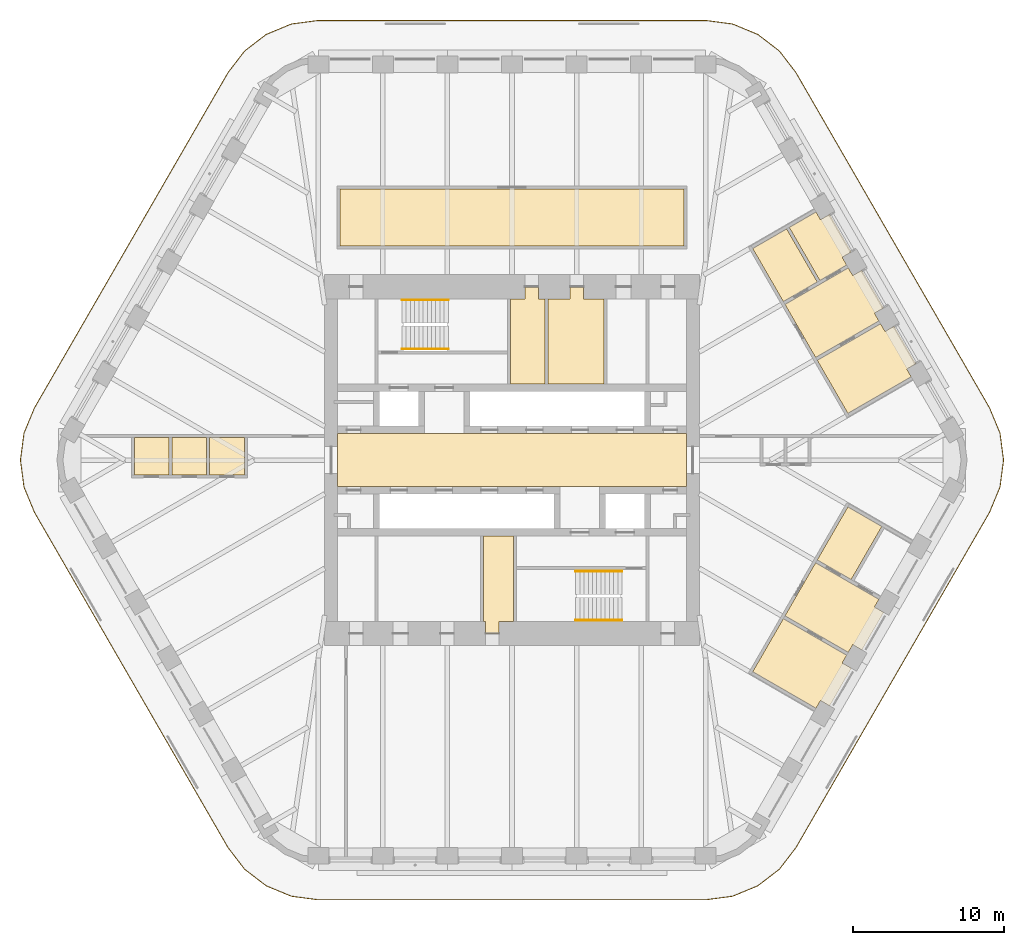
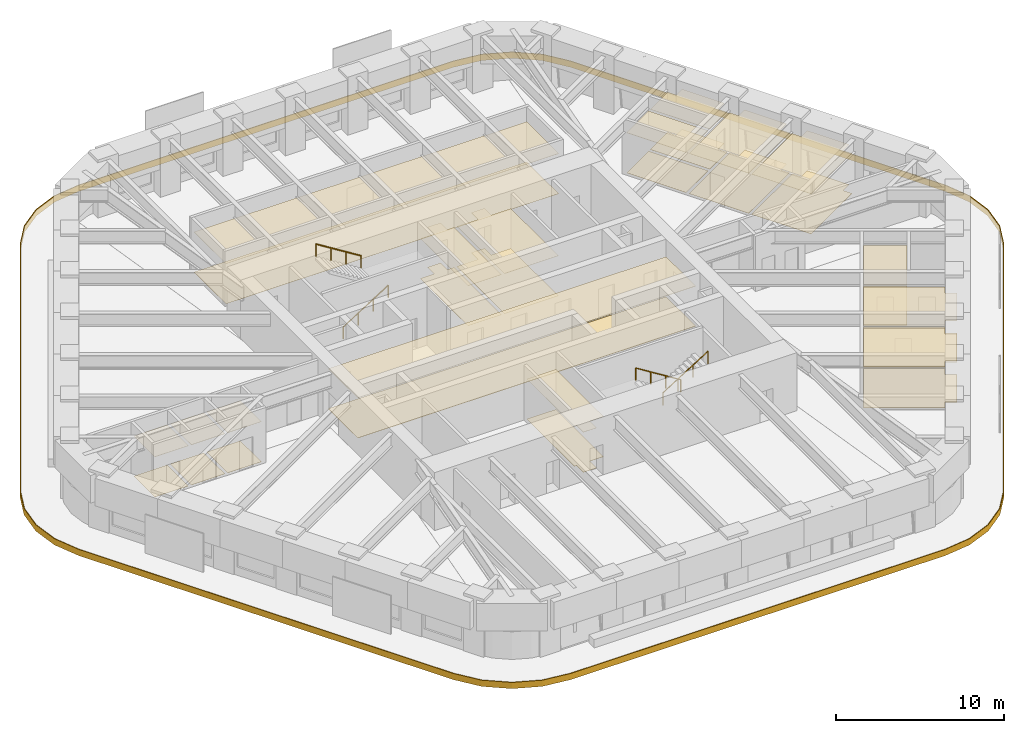
# One storey, part 17 of 18: 11 coverings, 4 railings.
"""IFC4 building model written with IfcOpenShell, lengths in metres."""

from ifc_helpers import new_model, si_unit, direction, frame, origin, origin_2d, place, context, subcontext, project, spatial, polyline, circle, outline, extrude, material, layer, layer_set, type_object, element, save


model = new_model("IFC4")

# Units and contexts
model_context = context("Model", 3, precision=1e-05, world=origin(), true_north=direction((0.0, 1.0)))
body_context = subcontext(model_context, "Body", "Model", "MODEL_VIEW")
ifc_project = project(units=[si_unit("LENGTHUNIT", "METRE"), si_unit("AREAUNIT", "SQUARE_METRE"), si_unit("VOLUMEUNIT", "CUBIC_METRE"), si_unit("PLANEANGLEUNIT", "RADIAN"), si_unit("MASSUNIT", "GRAM", prefix="KILO")], contexts=[model_context])

# Site, building, storey
site_placement = place(None, origin())
site = spatial("IfcSite", under=ifc_project, at=site_placement, CompositionType="ELEMENT")
building_placement = place(site_placement, origin())
building = spatial("IfcBuilding", under=site, at=building_placement, Name="Tarfa Lantern Tower", CompositionType="ELEMENT")
storey_placement = place(building_placement, frame((0.0, 0.0, 319.89990234375)))
storey = spatial("IfcBuildingStorey", under=building, at=storey_placement, Name="L72", CompositionType="ELEMENT", Elevation=319.89990234375)

# Coverings
ifc_material_1 = material(Name="Mineral fibre acoustic tile on suspension grid", Category="finish")
ifc_layer_1 = layer(ifc_material_1, 0.02001953125)
ifc_layer_set_1 = layer_set([ifc_layer_1], Name="CL1 ACOUSTIC TILE CEILING 20")
covering_type_1 = type_object("IfcCoveringType", Name="CL1 ACOUSTIC TILE CEILING 20", PredefinedType="CEILING", material=ifc_layer_set_1)
covering_1_placement = place(storey_placement, frame((0.0, 0.0, 2.900146484375)))
element("IfcCovering", 1, at=covering_1_placement, inside=storey, type_object=covering_type_1, Name="Ceiling L72 CL1", PredefinedType="CEILING", context=body_context, shape_type="SweptSolid", body=[
    extrude(outline(polyline([(18.106689453125, 10.33837890625), (22.306884765625, 12.763427734375), (22.60693359375, 12.243896484375), (23.213134765625, 12.59375), (24.654052734375, 10.097900390625), (24.0478515625, 9.747802734375), (24.347900390625, 9.228271484375), (20.147705078125, 6.80322265625), (18.106689453125, 10.33837890625)])), origin(), (0.0, 0.0, 1.0), 0.02001953125),
    extrude(outline(polyline([(18.390380859375, 15.44677734375), (20.165771484375, 16.4716796875), (20.4658203125, 15.9521484375), (21.072021484375, 16.302001953125), (22.51318359375, 13.80615234375), (21.90673828125, 13.456298828125), (22.206787109375, 12.9365234375), (20.431396484375, 11.91162109375), (18.390380859375, 15.44677734375)])), origin(), (0.0, 0.0, 1.0), 0.02001953125),
    extrude(outline(polyline([(20.147705078125, -6.80322265625), (24.347900390625, -9.228271484375), (24.0478515625, -9.747802734375), (24.654052734375, -10.097900390625), (23.213134765625, -12.59375), (22.60693359375, -12.243896484375), (22.306884765625, -12.763427734375), (18.106689453125, -10.33837890625), (20.147705078125, -6.80322265625)])), origin(), (0.0, 0.0, 1.0), 0.02001953125),
    extrude(outline(polyline([(-20.054931640625, -1.0), (-20.054931640625, 1.5), (-17.7548828125, 1.5), (-17.7548828125, -1.0), (-20.054931640625, -1.0)])), origin(), (0.0, 0.0, 1.0), 0.02001953125),
    extrude(outline(polyline([(-22.554931640625, -1.0), (-22.554931640625, 1.5), (-20.2548828125, 1.5), (-20.2548828125, -1.0), (-22.554931640625, -1.0)])), origin(), (0.0, 0.0, 1.0), 0.02001953125),
    extrude(outline(polyline([(-25.054931640625, -1.0), (-25.054931640625, 1.5), (-22.7548828125, 1.5), (-22.7548828125, -1.0), (-25.054931640625, -1.0)])), origin(), (0.0, 0.0, 1.0), 0.02001953125),
    extrude(outline(polyline([(-11.39990234375, 18.0), (11.39990234375, 18.0), (11.39990234375, 14.199951171875), (-11.39990234375, 14.199951171875), (-11.39990234375, 18.0)])), origin(), (0.0, 0.0, 1.0), 0.02001953125),
    extrude(outline(polyline([(20.24755859375, 6.630126953125), (24.44775390625, 9.05517578125), (24.747802734375, 8.535400390625), (25.35400390625, 8.885498046875), (26.795166015625, 6.3896484375), (26.18896484375, 6.03955078125), (26.48876953125, 5.52001953125), (22.28857421875, 3.094970703125), (20.24755859375, 6.630126953125)])), origin(), (0.0, 0.0, 1.0), 0.02001953125),
    extrude(outline(polyline([(15.965576171875, 14.046630859375), (18.21728515625, 15.3466796875), (20.25830078125, 11.8115234375), (18.006591796875, 10.51171875), (15.965576171875, 14.046630859375)])), origin(), (0.0, 0.0, 1.0), 0.02001953125),
    extrude(outline(polyline([(18.006591796875, -10.51171875), (22.206787109375, -12.9365234375), (21.90673828125, -13.456298828125), (22.51318359375, -13.80615234375), (21.072021484375, -16.302001953125), (20.4658203125, -15.9521484375), (20.165771484375, -16.4716796875), (15.965576171875, -14.046630859375), (18.006591796875, -10.51171875)])), origin(), (0.0, 0.0, 1.0), 0.02001953125),
    extrude(outline(polyline([(22.28857421875, -3.094970703125), (24.540283203125, -4.39501953125), (22.499267578125, -7.93017578125), (20.24755859375, -6.630126953125), (22.28857421875, -3.094970703125)])), origin(), (0.0, 0.0, 1.0), 0.02001953125),
])
ifc_material_2 = material(Name="Moisture-resistant plasterboard", Category="finish")
ifc_layer_2 = layer(ifc_material_2, 0.014892578125)
ifc_layer_set_2 = layer_set([ifc_layer_2], Name="CL2 MOISTURE-RESISTANT PLASTERBOARD CEILING 15")
covering_type_2 = type_object("IfcCoveringType", Name="CL2 MOISTURE-RESISTANT PLASTERBOARD CEILING 15", PredefinedType="CEILING", material=ifc_layer_set_2)
covering_2_placement = place(storey_placement, frame((0.0, 0.0, 2.900146484375)))
element("IfcCovering", 2, at=covering_2_placement, inside=storey, type_object=covering_type_2, Name="Ceiling L72-05", PredefinedType="CEILING", context=body_context, shape_type="SweptSolid", body=[
    extrude(outline(polyline([(0.85009765625, 10.699951171875), (-0.10009765625, 10.699951171875), (-0.10009765625, 5.050048828125), (2.199951171875, 5.050048828125), (2.199951171875, 10.699951171875), (1.75, 10.699951171875), (1.75, 11.5), (0.85009765625, 11.5), (0.85009765625, 10.699951171875)])), origin(), (0.0, 0.0, 1.0), 0.014892578125),
])
covering_3_placement = place(storey_placement, frame((0.0, 0.0, 2.900146484375)))
element("IfcCovering", 3, at=covering_3_placement, inside=storey, type_object=covering_type_2, Name="Ceiling L72-06", PredefinedType="CEILING", context=body_context, shape_type="SweptSolid", body=[
    extrude(outline(polyline([(2.39990234375, 5.050048828125), (6.10009765625, 5.050048828125), (6.10009765625, 10.699951171875), (4.75, 10.699951171875), (4.75, 11.5), (3.85009765625, 11.5), (3.85009765625, 10.699951171875), (2.39990234375, 10.699951171875), (2.39990234375, 5.050048828125)])), origin(), (0.0, 0.0, 1.0), 0.014892578125),
])
covering_4_placement = place(storey_placement, frame((0.0, 0.0, 2.900146484375)))
element("IfcCovering", 4, at=covering_4_placement, inside=storey, type_object=covering_type_2, Name="Ceiling L72-13", PredefinedType="CEILING", context=body_context, shape_type="SweptSolid", body=[
    extrude(outline(polyline([(-0.85009765625, -10.699951171875), (0.10009765625, -10.699951171875), (0.10009765625, -5.050048828125), (-1.89990234375, -5.050048828125), (-1.89990234375, -10.699951171875), (-1.75, -10.699951171875), (-1.75, -11.5), (-1.75, -11.5), (-0.85009765625, -11.5), (-0.85009765625, -10.699951171875)])), origin(), (0.0, 0.0, 1.0), 0.014892578125),
])
ifc_material_3 = material(Name="Powder-coated aluminium panel", Category="aluminium")
ifc_layer_3 = layer(ifc_material_3, 0.030029296875)
ifc_layer_set_3 = layer_set([ifc_layer_3], Name="CL3 METAL PANEL CEILING 30")
covering_type_3 = type_object("IfcCoveringType", Name="CL3 METAL PANEL CEILING 30", PredefinedType="CEILING", material=ifc_layer_set_3)
covering_5_placement = place(storey_placement, frame((0.0, 0.0, 2.900146484375)))
element("IfcCovering", 5, at=covering_5_placement, inside=storey, type_object=covering_type_3, Name="Ceiling L72-01", PredefinedType="CEILING", context=body_context, shape_type="SweptSolid", body=[
    extrude(outline(polyline([(-11.574951171875, -1.75), (11.574951171875, -1.75), (11.574951171875, 1.75), (-11.574951171875, 1.75), (-11.574951171875, -1.75)])), origin(), (0.0, 0.0, 1.0), 0.030029296875),
])
ifc_material_4 = material(Name="Nylon carpet tile", Category="finish")
ifc_layer_4 = layer(ifc_material_4, 0.010009765625)
ifc_layer_set_4 = layer_set([ifc_layer_4], Name="FL1 CARPET TILE 10")
covering_type_4 = type_object("IfcCoveringType", Name="FL1 CARPET TILE 10", PredefinedType="FLOORING", material=ifc_layer_set_4)
covering_6_placement = place(storey_placement, origin())
element("IfcCovering", 6, at=covering_6_placement, inside=storey, type_object=covering_type_4, Name="Floor finish L72 FL1", PredefinedType="FLOORING", context=body_context, shape_type="SweptSolid", body=[
    extrude(outline(polyline([(18.106689453125, 10.33837890625), (22.306884765625, 12.763427734375), (22.60693359375, 12.243896484375), (23.213134765625, 12.59375), (24.654052734375, 10.097900390625), (24.0478515625, 9.747802734375), (24.347900390625, 9.228271484375), (20.147705078125, 6.80322265625), (18.106689453125, 10.33837890625)])), origin(), (0.0, 0.0, 1.0), 0.010009765625),
    extrude(outline(polyline([(18.390380859375, 15.44677734375), (20.165771484375, 16.4716796875), (20.4658203125, 15.9521484375), (21.072021484375, 16.302001953125), (22.51318359375, 13.80615234375), (21.90673828125, 13.456298828125), (22.206787109375, 12.9365234375), (20.431396484375, 11.91162109375), (18.390380859375, 15.44677734375)])), origin(), (0.0, 0.0, 1.0), 0.010009765625),
    extrude(outline(polyline([(20.147705078125, -6.80322265625), (24.347900390625, -9.228271484375), (24.0478515625, -9.747802734375), (24.654052734375, -10.097900390625), (23.213134765625, -12.59375), (22.60693359375, -12.243896484375), (22.306884765625, -12.763427734375), (18.106689453125, -10.33837890625), (20.147705078125, -6.80322265625)])), origin(), (0.0, 0.0, 1.0), 0.010009765625),
    extrude(outline(polyline([(-20.054931640625, -1.0), (-20.054931640625, 1.5), (-17.7548828125, 1.5), (-17.7548828125, -1.0), (-20.054931640625, -1.0)])), origin(), (0.0, 0.0, 1.0), 0.010009765625),
    extrude(outline(polyline([(-22.554931640625, -1.0), (-22.554931640625, 1.5), (-20.2548828125, 1.5), (-20.2548828125, -1.0), (-22.554931640625, -1.0)])), origin(), (0.0, 0.0, 1.0), 0.010009765625),
    extrude(outline(polyline([(-25.054931640625, -1.0), (-25.054931640625, 1.5), (-22.7548828125, 1.5), (-22.7548828125, -1.0), (-25.054931640625, -1.0)])), origin(), (0.0, 0.0, 1.0), 0.010009765625),
    extrude(outline(polyline([(-11.39990234375, 18.0), (11.39990234375, 18.0), (11.39990234375, 14.199951171875), (-11.39990234375, 14.199951171875), (-11.39990234375, 18.0)])), origin(), (0.0, 0.0, 1.0), 0.010009765625),
    extrude(outline(polyline([(20.24755859375, 6.630126953125), (24.44775390625, 9.05517578125), (24.747802734375, 8.535400390625), (25.35400390625, 8.885498046875), (26.795166015625, 6.3896484375), (26.18896484375, 6.03955078125), (26.48876953125, 5.52001953125), (22.28857421875, 3.094970703125), (20.24755859375, 6.630126953125)])), origin(), (0.0, 0.0, 1.0), 0.010009765625),
    extrude(outline(polyline([(15.965576171875, 14.046630859375), (18.21728515625, 15.3466796875), (20.25830078125, 11.8115234375), (18.006591796875, 10.51171875), (15.965576171875, 14.046630859375)])), origin(), (0.0, 0.0, 1.0), 0.010009765625),
    extrude(outline(polyline([(18.006591796875, -10.51171875), (22.206787109375, -12.9365234375), (21.90673828125, -13.456298828125), (22.51318359375, -13.80615234375), (21.072021484375, -16.302001953125), (20.4658203125, -15.9521484375), (20.165771484375, -16.4716796875), (15.965576171875, -14.046630859375), (18.006591796875, -10.51171875)])), origin(), (0.0, 0.0, 1.0), 0.010009765625),
    extrude(outline(polyline([(22.28857421875, -3.094970703125), (24.540283203125, -4.39501953125), (22.499267578125, -7.93017578125), (20.24755859375, -6.630126953125), (22.28857421875, -3.094970703125)])), origin(), (0.0, 0.0, 1.0), 0.010009765625),
])
ifc_material_5 = material(Name="Honed limestone flooring", Category="masonry")
ifc_layer_5 = layer(ifc_material_5, 0.030029296875)
ifc_layer_set_5 = layer_set([ifc_layer_5], Name="FL2 STONE FLOORING 30")
covering_type_5 = type_object("IfcCoveringType", Name="FL2 STONE FLOORING 30", PredefinedType="FLOORING", material=ifc_layer_set_5)
covering_7_placement = place(storey_placement, origin())
element("IfcCovering", 7, at=covering_7_placement, inside=storey, type_object=covering_type_5, Name="Floor finish L72-01", PredefinedType="FLOORING", context=body_context, shape_type="SweptSolid", body=[
    extrude(outline(polyline([(-11.574951171875, -1.75), (11.574951171875, -1.75), (11.574951171875, 1.75), (-11.574951171875, 1.75), (-11.574951171875, -1.75)])), origin(), (0.0, 0.0, 1.0), 0.030029296875),
])
ifc_material_6 = material(Name="Porcelain floor tile", Category="finish")
ifc_layer_6 = layer(ifc_material_6, 0.011962890625)
ifc_layer_set_6 = layer_set([ifc_layer_6], Name="FL3 CERAMIC TILE 12")
covering_type_6 = type_object("IfcCoveringType", Name="FL3 CERAMIC TILE 12", PredefinedType="FLOORING", material=ifc_layer_set_6)
covering_8_placement = place(storey_placement, origin())
element("IfcCovering", 8, at=covering_8_placement, inside=storey, type_object=covering_type_6, Name="Floor finish L72-05", PredefinedType="FLOORING", context=body_context, shape_type="SweptSolid", body=[
    extrude(outline(polyline([(0.85009765625, 10.699951171875), (-0.10009765625, 10.699951171875), (-0.10009765625, 5.050048828125), (2.199951171875, 5.050048828125), (2.199951171875, 10.699951171875), (1.75, 10.699951171875), (1.75, 11.5), (0.85009765625, 11.5), (0.85009765625, 10.699951171875)])), origin(), (0.0, 0.0, 1.0), 0.01220703125),
])
covering_9_placement = place(storey_placement, origin())
element("IfcCovering", 9, at=covering_9_placement, inside=storey, type_object=covering_type_6, Name="Floor finish L72-06", PredefinedType="FLOORING", context=body_context, shape_type="SweptSolid", body=[
    extrude(outline(polyline([(2.39990234375, 5.050048828125), (6.10009765625, 5.050048828125), (6.10009765625, 10.699951171875), (4.75, 10.699951171875), (4.75, 11.5), (3.85009765625, 11.5), (3.85009765625, 10.699951171875), (2.39990234375, 10.699951171875), (2.39990234375, 5.050048828125)])), origin(), (0.0, 0.0, 1.0), 0.01220703125),
])
covering_10_placement = place(storey_placement, origin())
element("IfcCovering", 10, at=covering_10_placement, inside=storey, type_object=covering_type_6, Name="Floor finish L72-13", PredefinedType="FLOORING", context=body_context, shape_type="SweptSolid", body=[
    extrude(outline(polyline([(-0.85009765625, -10.699951171875), (0.10009765625, -10.699951171875), (0.10009765625, -5.050048828125), (-1.89990234375, -5.050048828125), (-1.89990234375, -10.699951171875), (-1.75, -10.699951171875), (-1.75, -11.5), (-1.75, -11.5), (-0.85009765625, -11.5), (-0.85009765625, -10.699951171875)])), origin(), (0.0, 0.0, 1.0), 0.01220703125),
])

# Railings
ifc_material_7 = material(Name="Stainless steel", Category="steel")
railing_type = type_object("IfcRailingType", Name="HR1 HANDRAIL 900", PredefinedType="HANDRAIL", material=ifc_material_7)
railing_1_placement = place(storey_placement, frame((-7.300048828125, 7.3798828125, 0.175048828125)))
element("IfcRailing", 11, at=railing_1_placement, inside=storey, type_object=railing_type, Name="Handrail 1", PredefinedType="HANDRAIL", context=body_context, shape_type="SweptSolid", body=[
    extrude(circle(Radius=0.02392578125, at=origin_2d()), frame((0.0, 0.0, 0.8759765625), z_axis=(0.847998304005, 0.0, 0.529998940003), x_axis=(0.0, 1.0, 0.0)), (0.0, 0.0, 1.0), 3.632080078125),
    extrude(circle(Radius=0.02099609375, at=origin_2d()), frame((0.0, 0.0, 0.0), z_axis=(0.0, 0.0, 1.0), x_axis=(0.0, 1.0, 0.0)), (0.0, 0.0, 1.0), 0.851806640625),
    extrude(circle(Radius=0.02099609375, at=origin_2d()), frame((1.026611328125, 0.0, 0.6416015625), z_axis=(0.0, 0.0, 1.0), x_axis=(0.0, 1.0, 0.0)), (0.0, 0.0, 1.0), 0.851806640625),
    extrude(circle(Radius=0.02099609375, at=origin_2d()), frame((2.053466796875, 0.0, 1.283447265625), z_axis=(0.0, 0.0, 1.0), x_axis=(0.0, 1.0, 0.0)), (0.0, 0.0, 1.0), 0.851806640625),
    extrude(circle(Radius=0.02099609375, at=origin_2d()), frame((3.080078125, 0.0, 1.925048828125), z_axis=(0.0, 0.0, 1.0), x_axis=(0.0, 1.0, 0.0)), (0.0, 0.0, 1.0), 0.851806640625),
])
for number, where, name in (
    (12, (-4.219970703125, 10.6201171875, 2.275146484375), "Handrail 2"),
    (13, (7.300048828125, -7.3798828125, 0.175048828125), "Handrail 1"),
):
    element("IfcRailing", number, at=place(storey_placement, frame(where)), inside=storey, type_object=railing_type, Name=name, PredefinedType="HANDRAIL", context=body_context, shape_type="SweptSolid", body=[
        extrude(circle(Radius=0.02392578125, at=origin_2d()), frame((0.0, 0.0, 0.8759765625), z_axis=(-0.847998304005, 0.0, 0.529998940003), x_axis=(0.0, -1.0, 0.0)), (0.0, 0.0, 1.0), 3.632080078125),
        extrude(circle(Radius=0.02099609375, at=origin_2d()), frame((0.0, 0.0, 0.0), z_axis=(0.0, 0.0, 1.0), x_axis=(0.0, -1.0, 0.0)), (0.0, 0.0, 1.0), 0.851806640625),
        extrude(circle(Radius=0.02099609375, at=origin_2d()), frame((-1.026611328125, 0.0, 0.6416015625), z_axis=(0.0, 0.0, 1.0), x_axis=(0.0, -1.0, 0.0)), (0.0, 0.0, 1.0), 0.851806640625),
        extrude(circle(Radius=0.02099609375, at=origin_2d()), frame((-2.053466796875, 0.0, 1.283447265625), z_axis=(0.0, 0.0, 1.0), x_axis=(0.0, -1.0, 0.0)), (0.0, 0.0, 1.0), 0.851806640625),
        extrude(circle(Radius=0.02099609375, at=origin_2d()), frame((-3.080078125, 0.0, 1.925048828125), z_axis=(0.0, 0.0, 1.0), x_axis=(0.0, -1.0, 0.0)), (0.0, 0.0, 1.0), 0.851806640625),
    ])
railing_2_placement = place(storey_placement, frame((4.219970703125, -10.6201171875, 2.275146484375)))
element("IfcRailing", 14, at=railing_2_placement, inside=storey, type_object=railing_type, Name="Handrail 2", PredefinedType="HANDRAIL", context=body_context, shape_type="SweptSolid", body=[
    extrude(circle(Radius=0.02392578125, at=origin_2d()), frame((0.0, 0.0, 0.8759765625), z_axis=(0.847998304005, 0.0, 0.529998940003), x_axis=(0.0, 1.0, 0.0)), (0.0, 0.0, 1.0), 3.632080078125),
    extrude(circle(Radius=0.02099609375, at=origin_2d()), frame((0.0, 0.0, 0.0), z_axis=(0.0, 0.0, 1.0), x_axis=(0.0, 1.0, 0.0)), (0.0, 0.0, 1.0), 0.851806640625),
    extrude(circle(Radius=0.02099609375, at=origin_2d()), frame((1.026611328125, 0.0, 0.6416015625), z_axis=(0.0, 0.0, 1.0), x_axis=(0.0, 1.0, 0.0)), (0.0, 0.0, 1.0), 0.851806640625),
    extrude(circle(Radius=0.02099609375, at=origin_2d()), frame((2.053466796875, 0.0, 1.283447265625), z_axis=(0.0, 0.0, 1.0), x_axis=(0.0, 1.0, 0.0)), (0.0, 0.0, 1.0), 0.851806640625),
    extrude(circle(Radius=0.02099609375, at=origin_2d()), frame((3.080078125, 0.0, 1.925048828125), z_axis=(0.0, 0.0, 1.0), x_axis=(0.0, 1.0, 0.0)), (0.0, 0.0, 1.0), 0.851806640625),
])

# Covering
ifc_material_8 = material(Name="Limestone cladding on brackets", Category="masonry")
ifc_layer_7 = layer(ifc_material_8, 0.050048828125)
ifc_layer_set_7 = layer_set([ifc_layer_7], Name="SB1 STONE BAND CLADDING 50")
covering_type_7 = type_object("IfcCoveringType", Name="SB1 STONE BAND CLADDING 50", PredefinedType="CLADDING", material=ifc_layer_set_7)
covering_11_placement = place(storey_placement, frame((0.0, 0.0, -0.39990234375)))
element("IfcCovering", 15, at=covering_11_placement, inside=storey, type_object=covering_type_7, Name="Stone band", PredefinedType="CLADDING", context=body_context, shape_type="SweptSolid", body=[
    extrude(outline(polyline([(31.7109375, 3.47509765625), (18.864990234375, 25.72509765625), (17.760498046875, 27.164306640625), (16.321044921875, 28.268798828125), (14.644775390625, 28.963134765625), (12.845947265625, 29.199951171875), (-12.845947265625, 29.199951171875), (-14.644775390625, 28.963134765625), (-16.321044921875, 28.268798828125), (-17.760498046875, 27.164306640625), (-18.864990234375, 25.72509765625), (-31.7109375, 3.47509765625), (-32.4052734375, 1.798828125), (-32.64208984375, 0.0), (-32.4052734375, -1.798828125), (-31.7109375, -3.47509765625), (-18.864990234375, -25.72509765625), (-17.760498046875, -27.164306640625), (-16.321044921875, -28.268798828125), (-14.644775390625, -28.963134765625), (-12.845947265625, -29.199951171875), (12.845947265625, -29.199951171875), (14.644775390625, -28.963134765625), (16.321044921875, -28.268798828125), (17.760498046875, -27.164306640625), (18.864990234375, -25.72509765625), (31.7109375, -3.47509765625), (32.4052734375, -1.798828125), (32.64208984375, 0.0), (32.4052734375, 1.798828125), (31.7109375, 3.47509765625)]), holes=[polyline([(31.667724609375, 3.449951171875), (18.821533203125, 25.699951171875), (17.72509765625, 27.129150390625), (16.296142578125, 28.2255859375), (14.6318359375, 28.914794921875), (12.845947265625, 29.14990234375), (-12.845947265625, 29.14990234375), (-14.6318359375, 28.914794921875), (-16.296142578125, 28.2255859375), (-17.72509765625, 27.129150390625), (-18.821533203125, 25.699951171875), (-31.667724609375, 3.449951171875), (-32.35693359375, 1.785888671875), (-32.592041015625, 0.0), (-32.35693359375, -1.785888671875), (-31.667724609375, -3.449951171875), (-18.821533203125, -25.699951171875), (-17.72509765625, -27.129150390625), (-16.296142578125, -28.2255859375), (-14.6318359375, -28.914794921875), (-12.845947265625, -29.14990234375), (12.845947265625, -29.14990234375), (14.6318359375, -28.914794921875), (16.296142578125, -28.2255859375), (17.72509765625, -27.129150390625), (18.821533203125, -25.699951171875), (31.667724609375, -3.449951171875), (32.35693359375, -1.785888671875), (32.592041015625, 0.0), (32.35693359375, 1.785888671875), (31.667724609375, 3.449951171875)])]), origin(), (0.0, 0.0, 1.0), 0.449951171875),
])

save(model, "model.ifc")
